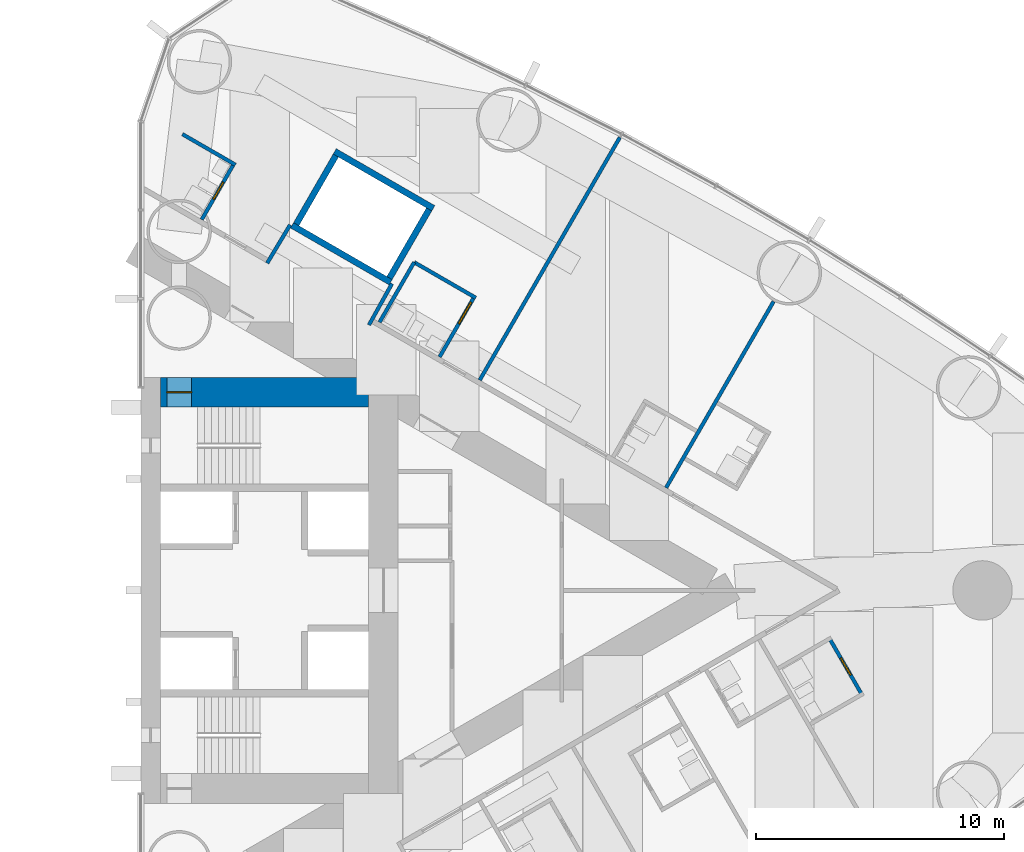
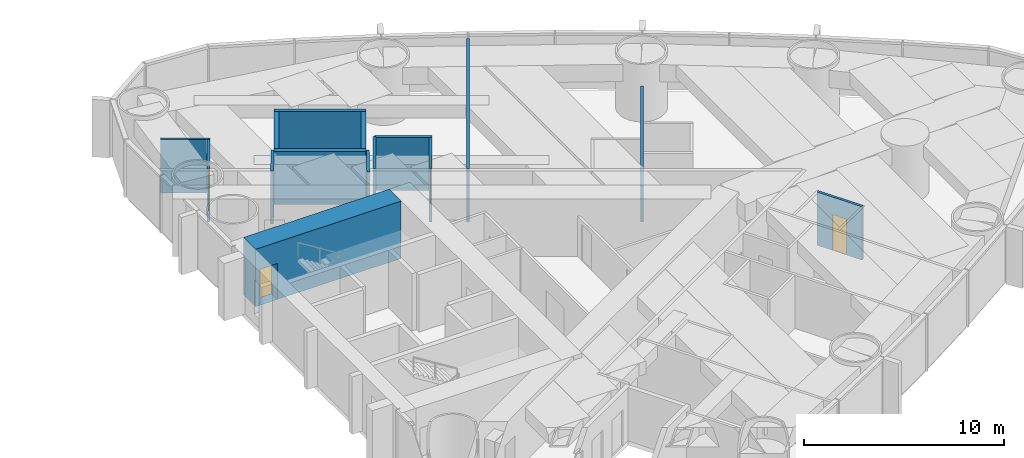
# One storey, part 15 of 18: 15 walls, 4 doors, 4 openings.
"""IFC4 building model written with IfcOpenShell, lengths in metres."""

from ifc_helpers import new_model, si_unit, direction, frame, frame_2d, origin, place, context, subcontext, project, spatial, rectangle, extrude, material, layer, layer_set, type_object, element, fill, save


model = new_model("IFC4")

# Units and contexts
model_context = context("Model", 3, precision=1e-05, world=origin(), true_north=direction((0.0, 1.0)))
body_context = subcontext(model_context, "Body", "Model", "MODEL_VIEW")
ifc_project = project(units=[si_unit("LENGTHUNIT", "METRE"), si_unit("AREAUNIT", "SQUARE_METRE"), si_unit("VOLUMEUNIT", "CUBIC_METRE"), si_unit("PLANEANGLEUNIT", "RADIAN"), si_unit("MASSUNIT", "GRAM", prefix="KILO")], contexts=[model_context])

# Site, building, storey
site_placement = place(None, origin())
site = spatial("IfcSite", under=ifc_project, at=site_placement, CompositionType="ELEMENT")
building_placement = place(site_placement, origin())
building = spatial("IfcBuilding", under=site, at=building_placement, Name="Lancet Gate Hotel", CompositionType="ELEMENT")
storey_placement = place(building_placement, frame((0.0, 0.0, 97.60009765625)))
storey = spatial("IfcBuildingStorey", under=building, at=storey_placement, Name="L25", CompositionType="ELEMENT", Elevation=97.60009765625)

# Wall, opening, door
ifc_material_1 = material(Name="Moisture resistant board partition")
ifc_layer_1 = layer(ifc_material_1, 0.14990234375)
ifc_layer_set_1 = layer_set([ifc_layer_1], Name="Bathroom wall 150")
wall_type_1 = type_object("IfcWallType", Name="Bathroom wall 150", PredefinedType="PARTITIONING", material=ifc_layer_set_1)
wall_1_placement = place(storey_placement, frame((55.32470703125, -1.949951171875, 0.0), z_axis=(0.0, 0.0, 1.0), x_axis=(0.500006934395, -0.866021400173, 0.0)))
wall_1 = element("IfcWall", 1, at=wall_1_placement, inside=storey, type_object=wall_type_1, Name="T2 bathroom wall 150 L25", PredefinedType="PARTITIONING", context=body_context, shape_type="SweptSolid", body=[
    extrude(rectangle(XDim=2.60009765625, YDim=0.14990234375, at=frame_2d((1.300048828125, 0.0))), origin(), (0.0, 0.0, 1.0), 3.25),
])
opening_1_placement = place(wall_1_placement, frame((0.89990234375, 0.0, 0.0)))
opening_1 = element("IfcOpeningElement", 2, at=opening_1_placement, cuts=wall_1, Name="Opening 2557-B", PredefinedType="OPENING", context=body_context, shape_type="SweptSolid", body=[
    extrude(rectangle(XDim=0.800048828125, YDim=2.199951171875, at=frame_2d((0.39990234375, 1.10009765625))), frame((0.0, 0.0849609375, 0.0), z_axis=(0.0, -1.0, 0.0), x_axis=(1.0, 0.0, 0.0)), (0.0, 0.0, 1.0), 0.169921875),
])
ifc_material_2 = material(Name="Timber door set", Category="wood")
door_type_1 = type_object("IfcDoorType", Name="Bathroom door 800", OperationType="SINGLE_SWING_RIGHT", PredefinedType="DOOR", material=ifc_material_2)
door_1_placement = place(opening_1_placement, origin())
door_1 = element("IfcDoor", 3, at=door_1_placement, inside=storey, type_object=door_type_1, Name="2557-B", OperationType="SINGLE_SWING_RIGHT", OverallHeight=2.199951171875, OverallWidth=0.800048828125, PredefinedType="DOOR", context=body_context, shape_type="SweptSolid", body=[
    extrude(rectangle(XDim=0.800048828125, YDim=2.199951171875, at=frame_2d((0.39990234375, 1.10009765625))), frame((0.0, 0.02490234375, 0.0), z_axis=(0.0, -1.0, 0.0), x_axis=(1.0, 0.0, 0.0)), (0.0, 0.0, 1.0), 0.050048828125),
])
fill(opening_1, door_1)

# Wall
wall_2_placement = place(storey_placement, frame((38.5439453125, 13.255126953125, 0.0), z_axis=(0.0, 0.0, 1.0), x_axis=(0.866018712932, -0.500011588718, 0.0)))
element("IfcWall", 4, at=wall_2_placement, inside=storey, type_object=wall_type_1, Name="T2 bathroom wall 150 L25", PredefinedType="PARTITIONING", context=body_context, shape_type="SweptSolid", body=[
    extrude(rectangle(XDim=2.875, YDim=0.14990234375, at=frame_2d((1.4375, 0.0))), origin(), (0.0, 0.0, 1.0), 3.25),
])

# Wall, opening, door
wall_3_placement = place(storey_placement, frame((39.56884765625, 9.43017578125, 0.0), z_axis=(0.0, 0.0, 1.0), x_axis=(0.49998411664, 0.866034573852, 0.0)))
wall_3 = element("IfcWall", 5, at=wall_3_placement, inside=storey, type_object=wall_type_1, Name="T2 bathroom wall 150 L25", PredefinedType="PARTITIONING", context=body_context, shape_type="SweptSolid", body=[
    extrude(rectangle(XDim=2.7998046875, YDim=0.14990234375, at=frame_2d((1.39990234375, 0.0))), origin(), (0.0, 0.0, 1.0), 3.25),
])
opening_2_placement = place(wall_3_placement, frame((1.550048828125, 0.0, 0.0)))
opening_2 = element("IfcOpeningElement", 6, at=opening_2_placement, cuts=wall_3, Name="Opening 2562-B", PredefinedType="OPENING", context=body_context, shape_type="SweptSolid", body=[
    extrude(rectangle(XDim=1.0, YDim=2.199951171875, at=frame_2d((0.5, 1.10009765625))), frame((0.0, 0.0849609375, 0.0), z_axis=(0.0, -1.0, 0.0), x_axis=(1.0, 0.0, 0.0)), (0.0, 0.0, 1.0), 0.169921875),
])
ifc_material_3 = material(Name="Timber door set", Category="wood")
door_type_2 = type_object("IfcDoorType", Name="Accessible en-suite door 1000", OperationType="SINGLE_SWING_RIGHT", PredefinedType="DOOR", material=ifc_material_3)
door_2_placement = place(opening_2_placement, origin())
door_2 = element("IfcDoor", 7, at=door_2_placement, inside=storey, type_object=door_type_2, Name="2562-B", OperationType="SINGLE_SWING_RIGHT", OverallHeight=2.199951171875, OverallWidth=1.0, PredefinedType="DOOR", context=body_context, shape_type="SweptSolid", body=[
    extrude(rectangle(XDim=1.0, YDim=2.199951171875, at=frame_2d((0.5, 1.10009765625))), frame((0.0, 0.02490234375, 0.0), z_axis=(0.0, -1.0, 0.0), x_axis=(1.0, 0.0, 0.0)), (0.0, 0.0, 1.0), 0.050048828125),
])
fill(opening_2, door_2)

# Walls
wall_4_placement = place(storey_placement, frame((37.143798828125, 10.830078125, 0.0), z_axis=(0.0, 0.0, 1.0), x_axis=(0.500011755427, 0.866018616679, 0.0)))
element("IfcWall", 8, at=wall_4_placement, inside=storey, type_object=wall_type_1, Name="T2 bathroom wall 150 L25", PredefinedType="PARTITIONING", context=body_context, shape_type="SweptSolid", body=[
    extrude(rectangle(XDim=2.80029296875, YDim=0.14990234375, at=frame_2d((1.400146484375, 0.0))), origin(), (0.0, 0.0, 1.0), 3.25),
])
wall_5_placement = place(storey_placement, frame((29.181884765625, 18.42919921875, 0.0), z_axis=(0.0, 0.0, 1.0), x_axis=(0.866006523861, -0.500032699561, 0.0)))
element("IfcWall", 9, at=wall_5_placement, inside=storey, type_object=wall_type_1, Name="T2 bathroom wall 150 L25", PredefinedType="PARTITIONING", context=body_context, shape_type="SweptSolid", body=[
    extrude(rectangle(XDim=2.474853515625, YDim=0.14990234375, at=frame_2d((1.2373046875, 0.0))), origin(), (0.0, 0.0, 1.0), 3.25),
])

# Wall, opening, door
wall_6_placement = place(storey_placement, frame((29.960205078125, 14.9775390625, 0.0), z_axis=(0.0, 0.0, 1.0), x_axis=(0.500006934395, 0.866021400173, 0.0)))
wall_6 = element("IfcWall", 10, at=wall_6_placement, inside=storey, type_object=wall_type_1, Name="T2 bathroom wall 150 L25", PredefinedType="PARTITIONING", context=body_context, shape_type="SweptSolid", body=[
    extrude(rectangle(XDim=2.60009765625, YDim=0.14990234375, at=frame_2d((1.300048828125, 0.0))), origin(), (0.0, 0.0, 1.0), 3.25),
])
opening_3_placement = place(wall_6_placement, frame((0.949951171875, 0.0, 0.0)))
opening_3 = element("IfcOpeningElement", 11, at=opening_3_placement, cuts=wall_6, Name="Opening 2564-B", PredefinedType="OPENING", context=body_context, shape_type="SweptSolid", body=[
    extrude(rectangle(XDim=0.800048828125, YDim=2.199951171875, at=frame_2d((0.39990234375, 1.10009765625))), frame((0.0, 0.0849609375, 0.0), z_axis=(0.0, -1.0, 0.0), x_axis=(1.0, 0.0, 0.0)), (0.0, 0.0, 1.0), 0.169921875),
])
door_3_placement = place(opening_3_placement, origin())
door_3 = element("IfcDoor", 12, at=door_3_placement, inside=storey, type_object=door_type_1, Name="2564-B", OperationType="SINGLE_SWING_RIGHT", OverallHeight=2.199951171875, OverallWidth=0.800048828125, PredefinedType="DOOR", context=body_context, shape_type="SweptSolid", body=[
    extrude(rectangle(XDim=0.800048828125, YDim=2.199951171875, at=frame_2d((0.39990234375, 1.10009765625))), frame((0.0, 0.02490234375, 0.0), z_axis=(0.0, -1.0, 0.0), x_axis=(1.0, 0.0, 0.0)), (0.0, 0.0, 1.0), 0.050048828125),
])
fill(opening_3, door_3)

ifc_material_4 = material(Name="Concrete C70/85", Category="concrete")
ifc_layer_2 = layer(ifc_material_4, 1.199951171875)
ifc_layer_set_2 = layer_set([ifc_layer_2], Name="Core wall 1200")
wall_type_2 = type_object("IfcWallType", Name="Core wall 1200", PredefinedType="SHEAR", material=ifc_layer_set_2)
wall_7_placement = place(storey_placement, frame((28.300048828125, 8.0, 0.0), z_axis=(0.0, 0.0, 1.0), x_axis=(1.0, 0.0, 0.0)))
wall_7 = element("IfcWall", 13, at=wall_7_placement, inside=storey, type_object=wall_type_2, Name="T2 core wall side-N L25", PredefinedType="SHEAR", context=body_context, shape_type="SweptSolid", body=[
    extrude(rectangle(XDim=8.39990234375, YDim=1.199951171875, at=frame_2d((4.199951171875, 0.0))), origin(), (0.0, 0.0, 1.0), 3.5),
])
opening_4_placement = place(wall_7_placement, frame((0.25, 0.0, 0.0)))
opening_4 = element("IfcOpeningElement", 14, at=opening_4_placement, cuts=wall_7, Name="Opening T2-L25-ST2", PredefinedType="OPENING", context=body_context, shape_type="SweptSolid", body=[
    extrude(rectangle(XDim=1.0, YDim=2.199951171875, at=frame_2d((0.5, 1.10009765625))), frame((0.0, 0.60986328125, 0.0), z_axis=(0.0, -1.0, 0.0), x_axis=(1.0, 0.0, 0.0)), (0.0, 0.0, 1.0), 1.219970703125),
])
ifc_material_5 = material(Name="Timber door set", Category="wood")
door_type_3 = type_object("IfcDoorType", Name="Stair door 1000", OperationType="SINGLE_SWING_RIGHT", PredefinedType="DOOR", material=ifc_material_5)
door_4_placement = place(opening_4_placement, origin())
door_4 = element("IfcDoor", 15, at=door_4_placement, inside=storey, type_object=door_type_3, Name="T2-L25-ST2", OperationType="SINGLE_SWING_RIGHT", OverallHeight=2.199951171875, OverallWidth=1.0, PredefinedType="DOOR", context=body_context, shape_type="SweptSolid", body=[
    extrude(rectangle(XDim=1.0, YDim=2.199951171875, at=frame_2d((0.5, 1.10009765625))), frame((0.0, 0.02490234375, 0.0), z_axis=(0.0, -1.0, 0.0), x_axis=(1.0, 0.0, 0.0)), (0.0, 0.0, 1.0), 0.050048828125),
])
fill(opening_4, door_4)

# Walls
ifc_material_6 = material(Name="Gypsum board partition")
ifc_layer_3 = layer(ifc_material_6, 0.25)
ifc_layer_set_3 = layer_set([ifc_layer_3], Name="Lift shaft partition 250")
wall_type_3 = type_object("IfcWallType", Name="Lift shaft partition 250", PredefinedType="PARTITIONING", material=ifc_layer_set_3)
for number, where, z_axis, x_axis, name in (
    (16, (33.6083984375, 14.747314453125, 0.0), (0.0, 0.0, 1.0), (0.866043305498, -0.49996899204, 0.0), "T2 lift shaft wall EX L25"),
    (17, (35.33349609375, 17.73583984375, 0.0), (0.0, 0.0, 1.0), (0.866043305498, -0.49996899204, 0.0), "T2 lift shaft wall EX L25"),
):
    element("IfcWall", number, at=place(storey_placement, frame(where, z_axis=z_axis, x_axis=x_axis)), inside=storey, type_object=wall_type_3, Name=name, PredefinedType="PARTITIONING", context=body_context, shape_type="SweptSolid", body=[
        extrude(rectangle(XDim=4.600341796875, YDim=0.25, at=frame_2d((2.30029296875, 0.0))), origin(), (0.0, 0.0, 1.0), 3.25),
    ])
for number, where, z_axis, x_axis, name in (
    (18, (33.779296875, 14.79296875, 0.0), (0.0, 0.0, 1.0), (0.499929347863, 0.866066190972, 0.0), "T2 lift shaft wall EX L25"),
    (19, (37.546630859375, 12.617919921875, 0.0), (0.0, 0.0, 1.0), (0.499929347863, 0.866066190972, 0.0), "T2 lift shaft wall EX L25"),
):
    element("IfcWall", number, at=place(storey_placement, frame(where, z_axis=z_axis, x_axis=x_axis)), inside=storey, type_object=wall_type_3, Name=name, PredefinedType="PARTITIONING", context=body_context, shape_type="SweptSolid", body=[
        extrude(rectangle(XDim=3.20068359375, YDim=0.25, at=frame_2d((1.600341796875, 0.0))), origin(), (0.0, 0.0, 1.0), 3.25),
    ])
ifc_material_7 = material(Name="Gypsum board partition")
ifc_layer_4 = layer(ifc_material_7, 0.14990234375)
ifc_layer_set_4 = layer_set([ifc_layer_4], Name="Party wall 150")
wall_type_4 = type_object("IfcWallType", Name="Party wall 150", PredefinedType="PARTITIONING", material=ifc_layer_set_4)
wall_8_placement = place(storey_placement, frame((41.18994140625, 8.494140625, 0.0), z_axis=(0.0, 0.0, 1.0), x_axis=(0.49999258054, 0.866029687369, 0.0)))
element("IfcWall", 20, at=wall_8_placement, inside=storey, type_object=wall_type_4, Name="T2 party wall 150 L25", PredefinedType="PARTITIONING", context=body_context, shape_type="SweptSolid", body=[
    extrude(rectangle(XDim=11.318115234375, YDim=0.14990234375, at=frame_2d((5.6591796875, 0.0))), origin(), (0.0, 0.0, 1.0), 3.25),
])
wall_9_placement = place(storey_placement, frame((48.718505859375, 4.1474609375, 0.0), z_axis=(0.0, 0.0, 1.0), x_axis=(0.499993328235, 0.866029255696, 0.0)))
element("IfcWall", 21, at=wall_9_placement, inside=storey, type_object=wall_type_4, Name="T2 party wall 150 L25", PredefinedType="PARTITIONING", context=body_context, shape_type="SweptSolid", body=[
    extrude(rectangle(XDim=8.68603515625, YDim=0.14990234375, at=frame_2d((4.343017578125, 0.0))), origin(), (0.0, 0.0, 1.0), 2.199951171875),
])
ifc_material_8 = material(Name="Gypsum board partition")
ifc_layer_5 = layer(ifc_material_8, 0.14990234375)
ifc_layer_set_5 = layer_set([ifc_layer_5], Name="Service room wall 150")
wall_type_5 = type_object("IfcWallType", Name="Service room wall 150", PredefinedType="PARTITIONING", material=ifc_layer_set_5)
wall_10_placement = place(storey_placement, frame((36.718505859375, 10.723388671875, 0.0), z_axis=(0.0, 0.0, 1.0), x_axis=(0.486348184724, 0.87376509613, 0.0)))
element("IfcWall", 22, at=wall_10_placement, inside=storey, type_object=wall_type_5, Name="T2 service room wall 150 L25", PredefinedType="PARTITIONING", context=body_context, shape_type="SweptSolid", body=[
    extrude(rectangle(XDim=1.91015625, YDim=0.14990234375, at=frame_2d((0.955078125, 0.0))), origin(), (0.0, 0.0, 1.0), 3.25),
])
wall_11_placement = place(storey_placement, frame((33.533447265625, 14.767333984375, 0.0), z_axis=(0.0, 0.0, 1.0), x_axis=(-0.514296815006, -0.857612258585, 0.0)))
element("IfcWall", 23, at=wall_11_placement, inside=storey, type_object=wall_type_5, Name="T2 service room wall 150 L25", PredefinedType="PARTITIONING", context=body_context, shape_type="SweptSolid", body=[
    extrude(rectangle(XDim=1.804931640625, YDim=0.14990234375, at=frame_2d((0.90234375, 0.0))), origin(), (0.0, 0.0, 1.0), 3.25),
])

save(model, "model.ifc")
